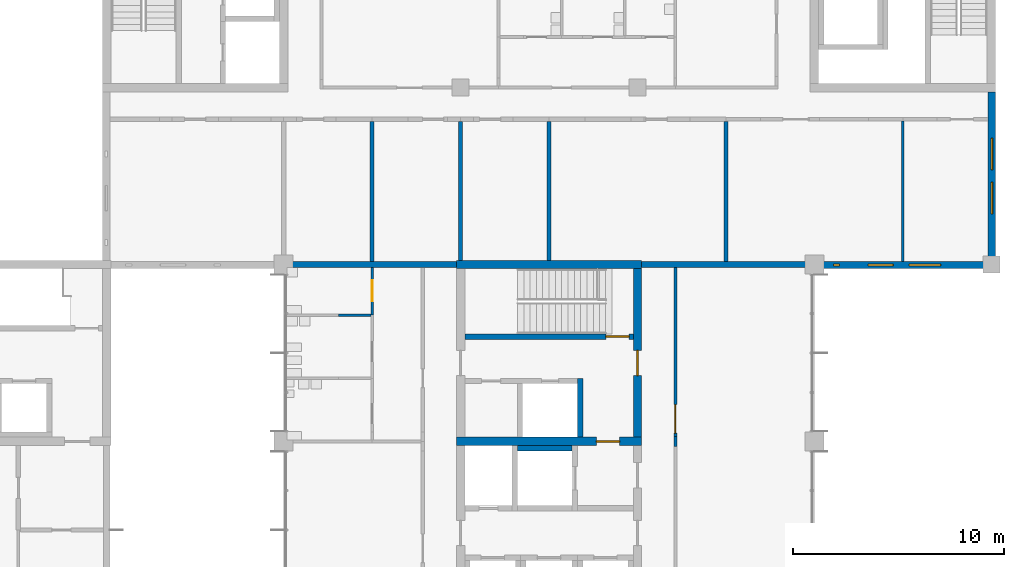
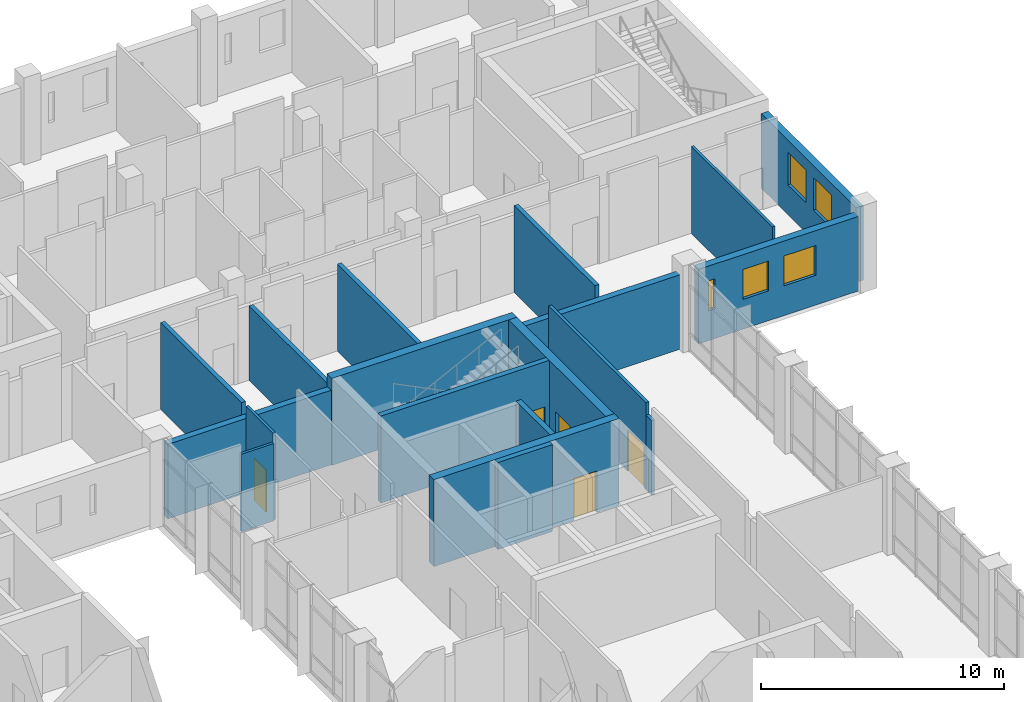
# One storey, part 43 of 70: 19 walls, 5 doors, 5 windows, 10 openings.
"""IFC4 building model written with IfcOpenShell, lengths in metres."""

from ifc_helpers import new_model, si_unit, direction, frame, frame_2d, origin, place, context, subcontext, project, spatial, rectangle, extrude, material, layer, layer_set, type_object, element, fill, save


model = new_model("IFC4")

# Units and contexts
model_context = context("Model", 3, precision=1e-05, world=origin(), true_north=direction((0.0, 1.0)))
body_context = subcontext(model_context, "Body", "Model", "MODEL_VIEW")
ifc_project = project(units=[si_unit("LENGTHUNIT", "METRE"), si_unit("AREAUNIT", "SQUARE_METRE"), si_unit("VOLUMEUNIT", "CUBIC_METRE"), si_unit("PLANEANGLEUNIT", "RADIAN"), si_unit("MASSUNIT", "GRAM", prefix="KILO")], contexts=[model_context])

# Site, building, storey
site_placement = place(None, origin())
site = spatial("IfcSite", under=ifc_project, at=site_placement, CompositionType="ELEMENT")
building_placement = place(site_placement, origin())
building = spatial("IfcBuilding", under=site, at=building_placement, Name="Hlaing Beacon Police Headquarters", CompositionType="ELEMENT")
storey_placement = place(building_placement, frame((0.0, 0.0, 5.39990234375)))
storey = spatial("IfcBuildingStorey", under=building, at=storey_placement, Name="L01", CompositionType="ELEMENT", Elevation=5.39990234375)

# Walls
ifc_material_1 = material(Name="Concrete C40/50", Category="concrete")
ifc_layer_1 = layer(ifc_material_1, 0.300048828125)
ifc_layer_set_1 = layer_set([ifc_layer_1], Name="Concrete C40/50")
wall_type_1 = type_object("IfcWallType", Name="Compartment wall 300", PredefinedType="SOLIDWALL", material=ifc_layer_set_1)
for number, where, z_axis, x_axis, name in (
    (1, (125.570068359375, 67.199951171875, 0.0), (0.0, 0.0, 1.0), (-1.0, 0.0, 0.0), "Compartment wall L01 N053"),
    (2, (109.0, 67.199951171875, 0.0), (0.0, 0.0, 1.0), (-1.0, 0.0, 0.0), "Compartment wall L01 N054"),
):
    element("IfcWall", number, at=place(storey_placement, frame(where, z_axis=z_axis, x_axis=x_axis)), inside=storey, type_object=wall_type_1, Name=name, PredefinedType="SOLIDWALL", context=body_context, shape_type="SweptSolid", body=[
        extrude(rectangle(XDim=7.77001953125, YDim=0.300048828125, at=frame_2d((3.885009765625, 0.0))), origin(), (0.0, 0.0, 1.0), 3.74609375),
    ])

# Wall, opening, door
ifc_material_2 = material(Name="Concrete C60/75", Category="concrete")
ifc_layer_2 = layer(ifc_material_2, 0.39990234375)
ifc_layer_set_2 = layer_set([ifc_layer_2], Name="Concrete C60/75")
wall_type_2 = type_object("IfcWallType", Name="Core shear wall 400", PredefinedType="SHEAR", material=ifc_layer_set_2)
wall_1_placement = place(storey_placement, frame((109.0, 58.800048828125, 0.0), z_axis=(0.0, 0.0, 1.0), x_axis=(1.0, 0.0, 0.0)))
wall_1 = element("IfcWall", 3, at=wall_1_placement, inside=storey, type_object=wall_type_2, Name="Core shear wall", PredefinedType="SHEAR", context=body_context, shape_type="SweptSolid", body=[
    extrude(rectangle(XDim=8.800048828125, YDim=0.39990234375, at=frame_2d((4.39990234375, 0.0))), origin(), (0.0, 0.0, 1.0), 4.3701171875),
])
opening_1_placement = place(wall_1_placement, frame((6.64990234375, 0.0, 0.0)))
opening_1 = element("IfcOpeningElement", 4, at=opening_1_placement, cuts=wall_1, Name="Opening L01-938", PredefinedType="OPENING", context=body_context, shape_type="SweptSolid", body=[
    extrude(rectangle(XDim=1.10009765625, YDim=2.10009765625, at=frame_2d((0.550048828125, 1.050048828125))), frame((0.0, 0.2099609375, 0.0), z_axis=(0.0, -1.0, 0.0), x_axis=(1.0, 0.0, 0.0)), (0.0, 0.0, 1.0), 0.419921875),
])
ifc_material_3 = material(Name="Steel fire door leaf", Category="steel")
ifc_layer_3 = layer(ifc_material_3, 0.070068359375)
ifc_layer_set_3 = layer_set([ifc_layer_3], Name="Steel fire door leaf")
door_type_1 = type_object("IfcDoorType", Name="Steel fire door FD60S 1100x2100", OperationType="SINGLE_SWING_LEFT", PredefinedType="DOOR", material=ifc_layer_set_3)
door_1_placement = place(opening_1_placement, origin())
door_1 = element("IfcDoor", 5, at=door_1_placement, inside=storey, type_object=door_type_1, Name="Door Firefighting Lobby Stair", OperationType="SINGLE_SWING_LEFT", OverallHeight=2.10009765625, OverallWidth=1.10009765625, PredefinedType="DOOR", context=body_context, shape_type="SweptSolid", body=[
    extrude(rectangle(XDim=1.10009765625, YDim=2.10009765625, at=frame_2d((0.550048828125, 1.050048828125))), frame((0.0, 0.03515625, 0.0), z_axis=(0.0, -1.0, 0.0), x_axis=(1.0, 0.0, 0.0)), (0.0, 0.0, 1.0), 0.070068359375),
])
fill(opening_1, door_1)

# Wall
wall_2_placement = place(storey_placement, frame((109.0, 67.199951171875, 0.0), z_axis=(0.0, 0.0, 1.0), x_axis=(1.0, 0.0, 0.0)))
element("IfcWall", 6, at=wall_2_placement, inside=storey, type_object=wall_type_2, Name="Core shear wall", PredefinedType="SHEAR", context=body_context, shape_type="SweptSolid", body=[
    extrude(rectangle(XDim=8.800048828125, YDim=0.39990234375, at=frame_2d((4.39990234375, 0.0))), origin(), (0.0, 0.0, 1.0), 4.3701171875),
])

# Wall, opening, door
wall_3_placement = place(storey_placement, frame((117.60009765625, 59.0, 0.0), z_axis=(0.0, 0.0, 1.0), x_axis=(0.0, 1.0, 0.0)))
wall_3 = element("IfcWall", 7, at=wall_3_placement, inside=storey, type_object=wall_type_2, Name="Core shear wall", PredefinedType="SHEAR", context=body_context, shape_type="SweptSolid", body=[
    extrude(rectangle(XDim=8.0, YDim=0.39990234375, at=frame_2d((4.0, 0.0))), origin(), (0.0, 0.0, 1.0), 4.3701171875),
])
opening_2_placement = place(wall_3_placement, frame((2.925048828125, 0.0, 0.0)))
opening_2 = element("IfcOpeningElement", 8, at=opening_2_placement, cuts=wall_3, Name="Opening L01-942", PredefinedType="OPENING", context=body_context, shape_type="SweptSolid", body=[
    extrude(rectangle(XDim=1.199951171875, YDim=2.10009765625, at=frame_2d((0.60009765625, 1.050048828125))), frame((0.0, 0.2099609375, 0.0), z_axis=(0.0, -1.0, 0.0), x_axis=(1.0, 0.0, 0.0)), (0.0, 0.0, 1.0), 0.419921875),
])
ifc_material_4 = material(Name="Steel fire door leaf", Category="steel")
ifc_layer_4 = layer(ifc_material_4, 0.070068359375)
ifc_layer_set_4 = layer_set([ifc_layer_4], Name="Steel fire door leaf")
door_type_2 = type_object("IfcDoorType", Name="Steel fire door FD60S 1200x2100", OperationType="SINGLE_SWING_LEFT", PredefinedType="DOOR", material=ifc_layer_set_4)
door_2_placement = place(opening_2_placement, origin())
door_2 = element("IfcDoor", 9, at=door_2_placement, inside=storey, type_object=door_type_2, Name="Door Stair Lobby ST-M Entry", OperationType="SINGLE_SWING_RIGHT", OverallHeight=2.10009765625, OverallWidth=1.199951171875, PredefinedType="DOOR", context=body_context, shape_type="SweptSolid", body=[
    extrude(rectangle(XDim=1.199951171875, YDim=2.10009765625, at=frame_2d((0.60009765625, 1.050048828125))), frame((0.0, 0.03515625, 0.0), z_axis=(0.0, -1.0, 0.0), x_axis=(1.0, 0.0, 0.0)), (0.0, 0.0, 1.0), 0.070068359375),
])
fill(opening_2, door_2)

# Wall
ifc_material_5 = material(Name="Gypsum board partition")
ifc_layer_5 = layer(ifc_material_5, 0.14990234375)
ifc_layer_set_5 = layer_set([ifc_layer_5], Name="Gypsum board partition")
wall_type_3 = type_object("IfcWallType", Name="Corridor wall EI 30 150", PredefinedType="PARTITIONING", material=ifc_layer_set_5)
wall_4_placement = place(storey_placement, frame((119.39990234375, 58.570068359375, 0.0), z_axis=(0.0, 0.0, 1.0), x_axis=(0.0, 1.0, 0.0)))
element("IfcWall", 10, at=wall_4_placement, inside=storey, type_object=wall_type_3, Name="Corridor wall EI 30 150", PredefinedType="PARTITIONING", context=body_context, shape_type="SweptSolid", body=[
    extrude(rectangle(XDim=0.4599609375, YDim=0.14990234375, at=frame_2d((0.22998046875, 0.0))), origin(), (0.0, 0.0, 1.0), 3.74609375),
])

# Wall, opening, door
wall_5_placement = place(storey_placement, frame((119.39990234375, 59.030029296875, 0.0), z_axis=(0.0, 0.0, 1.0), x_axis=(0.0, 1.0, 0.0)))
wall_5 = element("IfcWall", 11, at=wall_5_placement, inside=storey, type_object=wall_type_3, Name="Corridor wall EI 30 150", PredefinedType="PARTITIONING", context=body_context, shape_type="SweptSolid", body=[
    extrude(rectangle(XDim=8.02001953125, YDim=0.14990234375, at=frame_2d((4.010009765625, 0.0))), origin(), (0.0, 0.0, 1.0), 4.3701171875),
])
opening_3_placement = place(wall_5_placement, frame((0.169921875, 0.0, 0.0)))
opening_3 = element("IfcOpeningElement", 12, at=opening_3_placement, cuts=wall_5, Name="Opening L01-049", PredefinedType="OPENING", context=body_context, shape_type="SweptSolid", body=[
    extrude(rectangle(XDim=1.35009765625, YDim=2.10009765625, at=frame_2d((0.675048828125, 1.050048828125))), frame((0.0, 0.0849609375, 0.0), z_axis=(0.0, -1.0, 0.0), x_axis=(1.0, 0.0, 0.0)), (0.0, 0.0, 1.0), 0.169921875),
])
ifc_material_6 = material(Name="Hardwood door leaf", Category="wood")
ifc_layer_6 = layer(ifc_material_6, 0.050048828125)
ifc_layer_set_6 = layer_set([ifc_layer_6], Name="Hardwood door leaf")
door_type_3 = type_object("IfcDoorType", Name="Fire leaf-and-a-half door FD30S 1350x2100", OperationType="DOUBLE_DOOR_SINGLE_SWING", PredefinedType="DOOR", material=ifc_layer_set_6)
door_3_placement = place(opening_3_placement, frame((1.35009765625, 0.0, 0.0), z_axis=(0.0, 0.0, 1.0), x_axis=(-1.0, 0.0, 0.0)))
door_3 = element("IfcDoor", 13, at=door_3_placement, inside=storey, type_object=door_type_3, Name="Door Armed Response Unit Office", OperationType="DOUBLE_DOOR_SINGLE_SWING", OverallHeight=2.10009765625, OverallWidth=1.35009765625, PredefinedType="DOOR", context=body_context, shape_type="SweptSolid", body=[
    extrude(rectangle(XDim=1.35009765625, YDim=2.10009765625, at=frame_2d((0.675048828125, 1.050048828125))), frame((0.0, 0.025146484375, 0.0), z_axis=(0.0, -1.0, 0.0), x_axis=(1.0, 0.0, 0.0)), (0.0, 0.0, 1.0), 0.050048828125),
])
fill(opening_3, door_3)

# Walls
ifc_material_7 = material(Name="Concrete blockwork 7.5 N/mm2", Category="masonry")
ifc_layer_7 = layer(ifc_material_7, 0.199951171875)
ifc_layer_set_7 = layer_set([ifc_layer_7], Name="Concrete blockwork 7.5 N/mm2")
wall_type_4 = type_object("IfcWallType", Name="Custody wall EI 60 200", PredefinedType="PARTITIONING", material=ifc_layer_set_7)
wall_6_placement = place(storey_placement, frame((105.0, 67.35009765625, 0.0), z_axis=(0.0, 0.0, 1.0), x_axis=(0.0, 1.0, 0.0)))
element("IfcWall", 14, at=wall_6_placement, inside=storey, type_object=wall_type_4, Name="Custody wall EI 60 200", PredefinedType="PARTITIONING", context=body_context, shape_type="SweptSolid", body=[
    extrude(rectangle(XDim=6.64990234375, YDim=0.199951171875, at=frame_2d((3.324951171875, 0.0))), origin(), (0.0, 0.0, 1.0), 4.3701171875),
])
wall_7_placement = place(storey_placement, frame((109.199951171875, 67.39990234375, 0.0), z_axis=(0.0, 0.0, 1.0), x_axis=(0.0, 1.0, 0.0)))
element("IfcWall", 15, at=wall_7_placement, inside=storey, type_object=wall_type_4, Name="Custody wall EI 60 200", PredefinedType="PARTITIONING", context=body_context, shape_type="SweptSolid", body=[
    extrude(rectangle(XDim=6.60009765625, YDim=0.199951171875, at=frame_2d((3.300048828125, 0.0))), origin(), (0.0, 0.0, 1.0), 3.74609375),
])
wall_8_placement = place(storey_placement, frame((113.39990234375, 67.39990234375, 0.0), z_axis=(0.0, 0.0, 1.0), x_axis=(0.0, 1.0, 0.0)))
element("IfcWall", 16, at=wall_8_placement, inside=storey, type_object=wall_type_4, Name="Custody wall EI 60 200", PredefinedType="PARTITIONING", context=body_context, shape_type="SweptSolid", body=[
    extrude(rectangle(XDim=6.60009765625, YDim=0.199951171875, at=frame_2d((3.300048828125, 0.0))), origin(), (0.0, 0.0, 1.0), 4.3701171875),
])
wall_9_placement = place(storey_placement, frame((121.800048828125, 67.35009765625, 0.0), z_axis=(0.0, 0.0, 1.0), x_axis=(0.0, 1.0, 0.0)))
element("IfcWall", 17, at=wall_9_placement, inside=storey, type_object=wall_type_4, Name="Custody wall EI 60 200", PredefinedType="PARTITIONING", context=body_context, shape_type="SweptSolid", body=[
    extrude(rectangle(XDim=6.64990234375, YDim=0.199951171875, at=frame_2d((3.324951171875, 0.0))), origin(), (0.0, 0.0, 1.0), 4.3701171875),
])
ifc_material_8 = material(Name="Gypsum board partition")
ifc_layer_8 = layer(ifc_material_8, 0.125)
ifc_layer_set_8 = layer_set([ifc_layer_8], Name="Gypsum board partition")
wall_type_5 = type_object("IfcWallType", Name="Partition 125", PredefinedType="PARTITIONING", material=ifc_layer_set_8)
wall_10_placement = place(storey_placement, frame((103.406982421875, 64.800048828125, 0.0), z_axis=(0.0, 0.0, 1.0), x_axis=(1.0, 0.0, 0.0)))
element("IfcWall", 18, at=wall_10_placement, inside=storey, type_object=wall_type_5, Name="Partition 125", PredefinedType="PARTITIONING", context=body_context, shape_type="SweptSolid", body=[
    extrude(rectangle(XDim=1.531005859375, YDim=0.125, at=frame_2d((0.765625, 0.0))), origin(), (0.0, 0.0, 1.0), 3.89501953125),
])

# Wall, opening, door
wall_11_placement = place(storey_placement, frame((105.0, 64.800048828125, 0.0), z_axis=(0.0, 0.0, 1.0), x_axis=(0.0, 1.0, 0.0)))
wall_11 = element("IfcWall", 19, at=wall_11_placement, inside=storey, type_object=wall_type_5, Name="Partition 125", PredefinedType="PARTITIONING", context=body_context, shape_type="SweptSolid", body=[
    extrude(rectangle(XDim=2.25, YDim=0.125, at=frame_2d((1.125, 0.0))), origin(), (0.0, 0.0, 1.0), 4.3701171875),
])
opening_4_placement = place(wall_11_placement, frame((0.64990234375, 0.0, 0.0)))
opening_4 = element("IfcOpeningElement", 20, at=opening_4_placement, cuts=wall_11, Name="Opening L01-054", PredefinedType="OPENING", context=body_context, shape_type="SweptSolid", body=[
    extrude(rectangle(XDim=1.0, YDim=2.10009765625, at=frame_2d((0.5, 1.050048828125))), frame((0.0, 0.072509765625, 0.0), z_axis=(0.0, -1.0, 0.0), x_axis=(1.0, 0.0, 0.0)), (0.0, 0.0, 1.0), 0.14501953125),
])
ifc_material_9 = material(Name="Hardwood door leaf", Category="wood")
ifc_layer_9 = layer(ifc_material_9, 0.0400390625)
ifc_layer_set_9 = layer_set([ifc_layer_9], Name="Hardwood door leaf")
door_type_4 = type_object("IfcDoorType", Name="Door 1000x2100", OperationType="SINGLE_SWING_LEFT", PredefinedType="DOOR", material=ifc_layer_set_9)
door_4_placement = place(opening_4_placement, origin())
door_4 = element("IfcDoor", 21, at=door_4_placement, inside=storey, type_object=door_type_4, Name="Door Accessible WC", OperationType="SINGLE_SWING_RIGHT", OverallHeight=2.10009765625, OverallWidth=1.0, PredefinedType="DOOR", context=body_context, shape_type="SweptSolid", body=[
    extrude(rectangle(XDim=1.0, YDim=2.10009765625, at=frame_2d((0.5, 1.050048828125))), frame((0.0, 0.02001953125, 0.0), z_axis=(0.0, -1.0, 0.0), x_axis=(1.0, 0.0, 0.0)), (0.0, 0.0, 1.0), 0.0400390625),
])
fill(opening_4, door_4)

# Wall
wall_12_placement = place(storey_placement, frame((130.199951171875, 67.35009765625, 0.0), z_axis=(0.0, 0.0, 1.0), x_axis=(0.0, 1.0, 0.0)))
element("IfcWall", 22, at=wall_12_placement, inside=storey, type_object=wall_type_5, Name="Partition 125", PredefinedType="PARTITIONING", context=body_context, shape_type="SweptSolid", body=[
    extrude(rectangle(XDim=6.6748046875, YDim=0.125, at=frame_2d((3.33740234375, 0.0))), origin(), (0.0, 0.0, 1.0), 4.3701171875),
])

# Wall, openings, windows
ifc_material_10 = material(Name="Concrete C40/50 precast with security mesh", Category="concrete")
ifc_layer_10 = layer(ifc_material_10, 0.35009765625)
ifc_layer_set_10 = layer_set([ifc_layer_10], Name="Concrete C40/50 precast with security mesh")
wall_type_6 = type_object("IfcWallType", Name="Precast security wall 350", PredefinedType="SOLIDWALL", material=ifc_layer_set_10)
wall_13_placement = place(storey_placement, frame((126.429931640625, 67.175048828125, 0.0), z_axis=(0.0, 0.0, 1.0), x_axis=(1.0, 0.0, 0.0)))
wall_13 = element("IfcWall", 23, at=wall_13_placement, inside=storey, type_object=wall_type_6, Name="External wall L01 S030", PredefinedType="SOLIDWALL", context=body_context, shape_type="SweptSolid", body=[
    extrude(rectangle(XDim=7.590087890625, YDim=0.35009765625, at=frame_2d((3.794921875, 0.0))), origin(), (0.0, 0.0, 1.0), 3.74609375),
])
opening_5_placement = place(wall_13_placement, frame((0.469970703125, 0.0, 1.5)))
opening_5 = element("IfcOpeningElement", 24, at=opening_5_placement, cuts=wall_13, Name="Opening WN21", PredefinedType="OPENING", context=body_context, shape_type="SweptSolid", body=[
    extrude(rectangle(XDim=0.300048828125, YDim=1.5, at=frame_2d((0.14990234375, 0.75))), frame((0.0, 0.18505859375, 0.0), z_axis=(0.0, -1.0, 0.0), x_axis=(1.0, 0.0, 0.0)), (0.0, 0.0, 1.0), 0.3701171875),
])
opening_6_placement = place(wall_13_placement, frame((2.1201171875, 0.0, 1.5)))
opening_6 = element("IfcOpeningElement", 25, at=opening_6_placement, cuts=wall_13, Name="Opening WN22", PredefinedType="OPENING", context=body_context, shape_type="SweptSolid", body=[
    extrude(rectangle(XDim=1.199951171875, YDim=1.5, at=frame_2d((0.60009765625, 0.75))), frame((0.0, 0.18505859375, 0.0), z_axis=(0.0, -1.0, 0.0), x_axis=(1.0, 0.0, 0.0)), (0.0, 0.0, 1.0), 0.3701171875),
])
opening_7_placement = place(wall_13_placement, frame((4.070068359375, 0.0, 1.5)))
opening_7 = element("IfcOpeningElement", 26, at=opening_7_placement, cuts=wall_13, Name="Opening WN23", PredefinedType="OPENING", context=body_context, shape_type="SweptSolid", body=[
    extrude(rectangle(XDim=1.5, YDim=1.5, at=frame_2d((0.75, 0.75))), frame((0.0, 0.18505859375, 0.0), z_axis=(0.0, -1.0, 0.0), x_axis=(1.0, 0.0, 0.0)), (0.0, 0.0, 1.0), 0.3701171875),
])
ifc_material_11 = material(Name="Aluminium frame with solar control glazing", Category="aluminium")
window_type_1 = type_object("IfcWindowType", Name="Kitchen window 1500x1500 frame 80", PartitioningType="SINGLE_PANEL", PredefinedType="WINDOW", material=ifc_material_11)
window_1_placement = place(opening_7_placement, origin())
window_1 = element("IfcWindow", 27, at=window_1_placement, inside=storey, type_object=window_type_1, Name="Window L01 WN", OverallHeight=1.5, OverallWidth=1.5, PartitioningType="SINGLE_PANEL", PredefinedType="WINDOW", context=body_context, shape_type="SweptSolid", body=[
    extrude(rectangle(XDim=1.5, YDim=1.5, at=frame_2d((0.75, 0.75))), frame((0.0, 0.0400390625, 0.0), z_axis=(0.0, -1.0, 0.0), x_axis=(1.0, 0.0, 0.0)), (0.0, 0.0, 1.0), 0.080078125),
])
fill(opening_7, window_1)
ifc_material_12 = material(Name="Aluminium frame with solar control glazing", Category="aluminium")
window_type_2 = type_object("IfcWindowType", Name="Module window 1200x1500 frame 80", PartitioningType="SINGLE_PANEL", PredefinedType="WINDOW", material=ifc_material_12)
window_2_placement = place(opening_6_placement, origin())
window_2 = element("IfcWindow", 28, at=window_2_placement, inside=storey, type_object=window_type_2, Name="Window L01 WC", OverallHeight=1.5, OverallWidth=1.199951171875, PartitioningType="SINGLE_PANEL", PredefinedType="WINDOW", context=body_context, shape_type="SweptSolid", body=[
    extrude(rectangle(XDim=1.199951171875, YDim=1.5, at=frame_2d((0.60009765625, 0.75))), frame((0.0, 0.0400390625, 0.0), z_axis=(0.0, -1.0, 0.0), x_axis=(1.0, 0.0, 0.0)), (0.0, 0.0, 1.0), 0.080078125),
])
fill(opening_6, window_2)
ifc_material_13 = material(Name="Aluminium frame with solar control glazing", Category="aluminium")
window_type_3 = type_object("IfcWindowType", Name="Slit window 300x1500 frame 100", PartitioningType="SINGLE_PANEL", PredefinedType="WINDOW", material=ifc_material_13)
window_3_placement = place(opening_5_placement, origin())
window_3 = element("IfcWindow", 29, at=window_3_placement, inside=storey, type_object=window_type_3, Name="Window L01 WT", OverallHeight=1.5, OverallWidth=0.300048828125, PartitioningType="SINGLE_PANEL", PredefinedType="WINDOW", context=body_context, shape_type="SweptSolid", body=[
    extrude(rectangle(XDim=0.300048828125, YDim=1.5, at=frame_2d((0.14990234375, 0.75))), frame((0.0, 0.050048828125, 0.0), z_axis=(0.0, -1.0, 0.0), x_axis=(1.0, 0.0, 0.0)), (0.0, 0.0, 1.0), 0.10009765625),
])
fill(opening_5, window_3)

wall_14_placement = place(storey_placement, frame((134.425048828125, 67.580078125, 0.0), z_axis=(0.0, 0.0, 1.0), x_axis=(0.0, 1.0, 0.0)))
wall_14 = element("IfcWall", 30, at=wall_14_placement, inside=storey, type_object=wall_type_6, Name="External wall L01 E031", PredefinedType="SOLIDWALL", context=body_context, shape_type="SweptSolid", body=[
    extrude(rectangle(XDim=7.81982421875, YDim=0.35009765625, at=frame_2d((3.909912109375, 0.0))), origin(), (0.0, 0.0, 1.0), 3.74609375),
])
opening_8_placement = place(wall_14_placement, frame((2.02001953125, 0.0, 1.5)))
opening_8 = element("IfcOpeningElement", 31, at=opening_8_placement, cuts=wall_14, Name="Opening WN24", PredefinedType="OPENING", context=body_context, shape_type="SweptSolid", body=[
    extrude(rectangle(XDim=1.5, YDim=1.64990234375, at=frame_2d((0.75, 0.824951171875))), frame((0.0, 0.18505859375, 0.0), z_axis=(0.0, -1.0, 0.0), x_axis=(1.0, 0.0, 0.0)), (0.0, 0.0, 1.0), 0.3701171875),
])
opening_9_placement = place(wall_14_placement, frame((4.1201171875, 0.0, 1.5)))
opening_9 = element("IfcOpeningElement", 32, at=opening_9_placement, cuts=wall_14, Name="Opening WN24", PredefinedType="OPENING", context=body_context, shape_type="SweptSolid", body=[
    extrude(rectangle(XDim=1.5, YDim=1.64990234375, at=frame_2d((0.75, 0.824951171875))), frame((0.0, 0.18505859375, 0.0), z_axis=(0.0, -1.0, 0.0), x_axis=(1.0, 0.0, 0.0)), (0.0, 0.0, 1.0), 0.3701171875),
])
ifc_material_14 = material(Name="Aluminium frame with solar control glazing", Category="aluminium")
window_type_4 = type_object("IfcWindowType", Name="Kitchen window 1500x1650 frame 80", PartitioningType="SINGLE_PANEL", PredefinedType="WINDOW", material=ifc_material_14)
window_4_placement = place(opening_8_placement, origin())
window_4 = element("IfcWindow", 33, at=window_4_placement, inside=storey, type_object=window_type_4, Name="Window L01 WN", OverallHeight=1.64990234375, OverallWidth=1.5, PartitioningType="SINGLE_PANEL", PredefinedType="WINDOW", context=body_context, shape_type="SweptSolid", body=[
    extrude(rectangle(XDim=1.5, YDim=1.64990234375, at=frame_2d((0.75, 0.824951171875))), frame((0.0, 0.0400390625, 0.0), z_axis=(0.0, -1.0, 0.0), x_axis=(1.0, 0.0, 0.0)), (0.0, 0.0, 1.0), 0.080078125),
])
fill(opening_8, window_4)
window_5_placement = place(opening_9_placement, origin())
window_5 = element("IfcWindow", 34, at=window_5_placement, inside=storey, type_object=window_type_4, Name="Window L01 WN", OverallHeight=1.64990234375, OverallWidth=1.5, PartitioningType="SINGLE_PANEL", PredefinedType="WINDOW", context=body_context, shape_type="SweptSolid", body=[
    extrude(rectangle(XDim=1.5, YDim=1.64990234375, at=frame_2d((0.75, 0.824951171875))), frame((0.0, 0.0400390625, 0.0), z_axis=(0.0, -1.0, 0.0), x_axis=(1.0, 0.0, 0.0)), (0.0, 0.0, 1.0), 0.080078125),
])
fill(opening_9, window_5)

# Wall, opening, door
ifc_material_15 = material(Name="Concrete C40/50", Category="concrete")
ifc_layer_11 = layer(ifc_material_15, 0.25)
ifc_layer_set_11 = layer_set([ifc_layer_11], Name="Concrete C40/50")
wall_type_7 = type_object("IfcWallType", Name="Shaft wall 250", PredefinedType="SOLIDWALL", material=ifc_layer_set_11)
wall_15_placement = place(storey_placement, frame((117.39990234375, 63.77490234375, 0.0), z_axis=(0.0, 0.0, 1.0), x_axis=(-1.0, 0.0, 0.0)))
wall_15 = element("IfcWall", 35, at=wall_15_placement, inside=storey, type_object=wall_type_7, Name="Stair enclosure wall", PredefinedType="SOLIDWALL", context=body_context, shape_type="SweptSolid", body=[
    extrude(rectangle(XDim=8.0, YDim=0.25, at=frame_2d((4.0, 0.0))), origin(), (0.0, 0.0, 1.0), 4.3701171875),
])
opening_10_placement = place(wall_15_placement, frame((0.199951171875, 0.0, 0.0)))
opening_10 = element("IfcOpeningElement", 36, at=opening_10_placement, cuts=wall_15, Name="Opening L01-944", PredefinedType="OPENING", context=body_context, shape_type="SweptSolid", body=[
    extrude(rectangle(XDim=1.10009765625, YDim=2.10009765625, at=frame_2d((0.550048828125, 1.050048828125))), frame((0.0, 0.135009765625, 0.0), z_axis=(0.0, -1.0, 0.0), x_axis=(1.0, 0.0, 0.0)), (0.0, 0.0, 1.0), 0.27001953125),
])
ifc_material_16 = material(Name="Steel fire door leaf", Category="steel")
ifc_layer_12 = layer(ifc_material_16, 0.070068359375)
ifc_layer_set_12 = layer_set([ifc_layer_12], Name="Steel fire door leaf")
door_type_5 = type_object("IfcDoorType", Name="Steel fire door FD60 1100x2100", OperationType="SINGLE_SWING_LEFT", PredefinedType="DOOR", material=ifc_layer_set_12)
door_5_placement = place(opening_10_placement, frame((1.10009765625, 0.0, 0.0), z_axis=(0.0, 0.0, 1.0), x_axis=(-1.0, 0.0, 0.0)))
door_5 = element("IfcDoor", 37, at=door_5_placement, inside=storey, type_object=door_type_5, Name="Door Stair ST-M", OperationType="SINGLE_SWING_LEFT", OverallHeight=2.10009765625, OverallWidth=1.10009765625, PredefinedType="DOOR", context=body_context, shape_type="SweptSolid", body=[
    extrude(rectangle(XDim=1.10009765625, YDim=2.10009765625, at=frame_2d((0.550048828125, 1.050048828125))), frame((0.0, 0.034912109375, 0.0), z_axis=(0.0, -1.0, 0.0), x_axis=(1.0, 0.0, 0.0)), (0.0, 0.0, 1.0), 0.070068359375),
])
fill(opening_10, door_5)

# Walls
wall_16_placement = place(storey_placement, frame((114.875, 61.800048828125, 0.0), z_axis=(0.0, 0.0, 1.0), x_axis=(0.0, -1.0, 0.0)))
element("IfcWall", 38, at=wall_16_placement, inside=storey, type_object=wall_type_7, Name="Lobby wall", PredefinedType="SOLIDWALL", context=body_context, shape_type="SweptSolid", body=[
    extrude(rectangle(XDim=2.800048828125, YDim=0.25, at=frame_2d((1.39990234375, 0.0))), origin(), (0.0, 0.0, 1.0), 4.3701171875),
])
wall_17_placement = place(storey_placement, frame((111.89990234375, 58.47509765625, 0.0), z_axis=(0.0, 0.0, 1.0), x_axis=(1.0, 0.0, 0.0)))
element("IfcWall", 39, at=wall_17_placement, inside=storey, type_object=wall_type_7, Name="Lift shaft wall FL1", PredefinedType="SOLIDWALL", context=body_context, shape_type="SweptSolid", body=[
    extrude(rectangle(XDim=2.60009765625, YDim=0.25, at=frame_2d((1.300048828125, 0.0))), origin(), (0.0, 0.0, 1.0), 4.3701171875),
])

save(model, "model.ifc")
